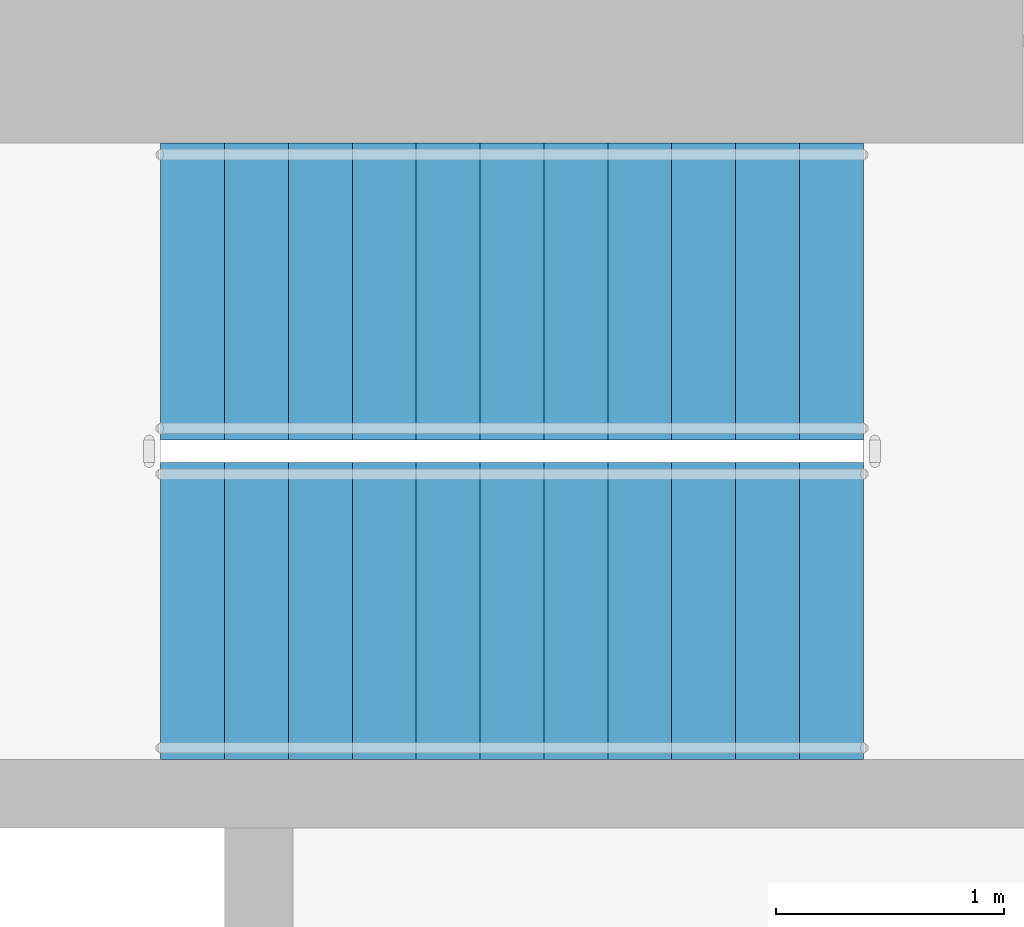
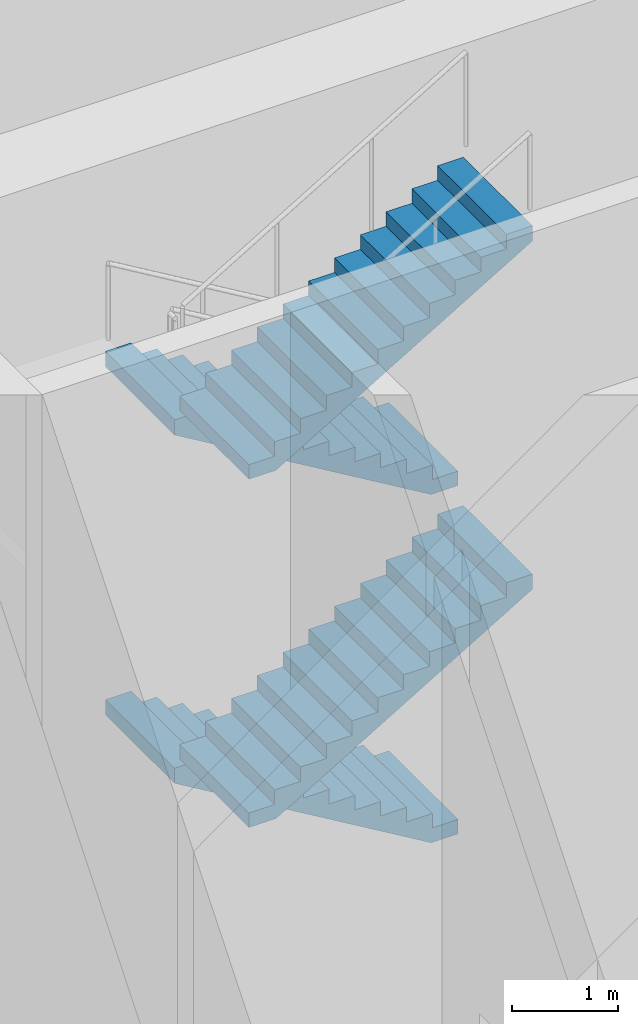
# One storey, part 37 of 54: 4 stair flights, 1 element without a shape of its own.
"""IFC4 building model written with IfcOpenShell, lengths in metres."""

from ifc_helpers import new_model, si_unit, direction, frame, origin, place, context, subcontext, project, spatial, triangles, source, transform, mapped, material, type_object, element, aggregate, save


model = new_model("IFC4")

# Units and contexts
model_context = context("Model", 3, precision=1e-05, world=origin(), true_north=direction((0.0, 1.0)))
body_context = subcontext(model_context, "Body", "Model", "MODEL_VIEW")
ifc_project = project(units=[si_unit("LENGTHUNIT", "METRE"), si_unit("AREAUNIT", "SQUARE_METRE"), si_unit("VOLUMEUNIT", "CUBIC_METRE"), si_unit("PLANEANGLEUNIT", "RADIAN"), si_unit("MASSUNIT", "GRAM", prefix="KILO")], contexts=[model_context])

# Site, building, storey
site_placement = place(None, origin())
site = spatial("IfcSite", under=ifc_project, at=site_placement, CompositionType="ELEMENT")
building_placement = place(site_placement, origin())
building = spatial("IfcBuilding", under=site, at=building_placement, Name="Ogive Portal Towers", CompositionType="ELEMENT")
storey_placement = place(building_placement, origin())
storey = spatial("IfcBuildingStorey", under=building, at=storey_placement, Name="L00", CompositionType="ELEMENT", Elevation=0.0)

# Stair, stair flights
ifc_material = material(Name="Concrete C40/50", Category="concrete")
stair_type = type_object("IfcStairType", Name="INT-STAIR", PredefinedType="HALF_TURN_STAIR", material=ifc_material)
stair_placement = place(storey_placement, origin())
stair = element("IfcStair", 1, at=stair_placement, inside=storey, type_object=stair_type, Name="L00 Exit Stair ST-A1", PredefinedType="HALF_TURN_STAIR")
stair_flight_type = type_object("IfcStairFlightType", Name="INT-FLIGHT", PredefinedType="STRAIGHT", material=ifc_material)
shared_shape = source(origin(), body_context, "Body", "Tessellation", [
    triangles([(0.0, -0.650146484375, 0.0), (0.0, -0.376220703125, 0.0), (0.0, -0.192626953125, 0.0), (0.0, -0.081298828125, 0.0), (0.0, -0.024169921875, 0.0), (0.0, -0.003173828125, 0.0), (0.0, 0.0, 0.0), (0.0, 0.0029296875, 0.0), (0.0, 0.02392578125, 0.0), (0.0, 0.0810546875, 0.0), (0.0, 0.1923828125, 0.0), (0.0, 0.3759765625, 0.0), (0.0, 0.64990234375, 0.0), (0.0, -0.650146484375, 0.166748046875), (0.0, -0.376220703125, 0.166748046875), (0.0, -0.192626953125, 0.166748046875), (0.0, -0.081298828125, 0.166748046875), (0.0, -0.024169921875, 0.166748046875), (0.0, -0.003173828125, 0.166748046875), (0.0, 0.0, 0.166748046875), (0.0, 0.0029296875, 0.166748046875), (0.0, 0.02392578125, 0.166748046875), (0.0, 0.0810546875, 0.166748046875), (0.0, 0.1923828125, 0.166748046875), (0.0, 0.3759765625, 0.166748046875), (0.0, 0.64990234375, 0.166748046875), (0.280029296875, -0.650146484375, 0.166748046875), (0.280029296875, -0.376220703125, 0.166748046875), (0.280029296875, -0.192626953125, 0.166748046875), (0.280029296875, -0.081298828125, 0.166748046875), (0.280029296875, -0.024169921875, 0.166748046875), (0.280029296875, -0.003173828125, 0.166748046875), (0.280029296875, 0.0, 0.166748046875), (0.280029296875, 0.0029296875, 0.166748046875), (0.280029296875, 0.02392578125, 0.166748046875), (0.280029296875, 0.0810546875, 0.166748046875), (0.280029296875, 0.1923828125, 0.166748046875), (0.280029296875, 0.3759765625, 0.166748046875), (0.280029296875, 0.64990234375, 0.166748046875), (0.280029296875, -0.650146484375, 0.333251953125), (0.280029296875, -0.376220703125, 0.333251953125), (0.280029296875, -0.192626953125, 0.333251953125), (0.280029296875, -0.081298828125, 0.333251953125), (0.280029296875, -0.024169921875, 0.333251953125), (0.280029296875, -0.003173828125, 0.333251953125), (0.280029296875, 0.0, 0.333251953125), (0.280029296875, 0.0029296875, 0.333251953125), (0.280029296875, 0.02392578125, 0.333251953125), (0.280029296875, 0.0810546875, 0.333251953125), (0.280029296875, 0.1923828125, 0.333251953125), (0.280029296875, 0.3759765625, 0.333251953125), (0.280029296875, 0.64990234375, 0.333251953125), (0.56005859375, -0.650146484375, 0.333251953125), (0.56005859375, -0.376220703125, 0.333251953125), (0.56005859375, -0.192626953125, 0.333251953125), (0.56005859375, -0.081298828125, 0.333251953125), (0.56005859375, -0.024169921875, 0.333251953125), (0.56005859375, -0.003173828125, 0.333251953125), (0.56005859375, 0.0, 0.333251953125), (0.56005859375, 0.0029296875, 0.333251953125), (0.56005859375, 0.02392578125, 0.333251953125), (0.56005859375, 0.0810546875, 0.333251953125), (0.56005859375, 0.1923828125, 0.333251953125), (0.56005859375, 0.3759765625, 0.333251953125), (0.56005859375, 0.64990234375, 0.333251953125), (0.56005859375, -0.650146484375, 0.5), (0.56005859375, -0.376220703125, 0.5), (0.56005859375, -0.192626953125, 0.5), (0.56005859375, -0.081298828125, 0.5), (0.56005859375, -0.024169921875, 0.5), (0.56005859375, -0.003173828125, 0.5), (0.56005859375, 0.0, 0.5), (0.56005859375, 0.0029296875, 0.5), (0.56005859375, 0.02392578125, 0.5), (0.56005859375, 0.0810546875, 0.5), (0.56005859375, 0.1923828125, 0.5), (0.56005859375, 0.3759765625, 0.5), (0.56005859375, 0.64990234375, 0.5), (0.840087890625, -0.650146484375, 0.5), (0.840087890625, -0.376220703125, 0.5), (0.840087890625, -0.192626953125, 0.5), (0.840087890625, -0.081298828125, 0.5), (0.840087890625, -0.024169921875, 0.5), (0.840087890625, -0.003173828125, 0.5), (0.840087890625, 0.0, 0.5), (0.840087890625, 0.0029296875, 0.5), (0.840087890625, 0.02392578125, 0.5), (0.840087890625, 0.0810546875, 0.5), (0.840087890625, 0.1923828125, 0.5), (0.840087890625, 0.3759765625, 0.5), (0.840087890625, 0.64990234375, 0.5), (0.840087890625, -0.650146484375, 0.666748046875), (0.840087890625, -0.376220703125, 0.666748046875), (0.840087890625, -0.192626953125, 0.666748046875), (0.840087890625, -0.081298828125, 0.666748046875), (0.840087890625, -0.024169921875, 0.666748046875), (0.840087890625, -0.003173828125, 0.666748046875), (0.840087890625, 0.0, 0.666748046875), (0.840087890625, 0.0029296875, 0.666748046875), (0.840087890625, 0.02392578125, 0.666748046875), (0.840087890625, 0.0810546875, 0.666748046875), (0.840087890625, 0.1923828125, 0.666748046875), (0.840087890625, 0.3759765625, 0.666748046875), (0.840087890625, 0.64990234375, 0.666748046875), (1.1201171875, -0.650146484375, 0.666748046875), (1.1201171875, -0.376220703125, 0.666748046875), (1.1201171875, -0.192626953125, 0.666748046875), (1.1201171875, -0.081298828125, 0.666748046875), (1.1201171875, -0.024169921875, 0.666748046875), (1.1201171875, -0.003173828125, 0.666748046875), (1.1201171875, 0.0, 0.666748046875), (1.1201171875, 0.0029296875, 0.666748046875), (1.1201171875, 0.02392578125, 0.666748046875), (1.1201171875, 0.0810546875, 0.666748046875), (1.1201171875, 0.1923828125, 0.666748046875), (1.1201171875, 0.3759765625, 0.666748046875), (1.1201171875, 0.64990234375, 0.666748046875), (1.1201171875, -0.650146484375, 0.833251953125), (1.1201171875, -0.376220703125, 0.833251953125), (1.1201171875, -0.192626953125, 0.833251953125), (1.1201171875, -0.081298828125, 0.833251953125), (1.1201171875, -0.024169921875, 0.833251953125), (1.1201171875, -0.003173828125, 0.833251953125), (1.1201171875, 0.0, 0.833251953125), (1.1201171875, 0.0029296875, 0.833251953125), (1.1201171875, 0.02392578125, 0.833251953125), (1.1201171875, 0.0810546875, 0.833251953125), (1.1201171875, 0.1923828125, 0.833251953125), (1.1201171875, 0.3759765625, 0.833251953125), (1.1201171875, 0.64990234375, 0.833251953125), (1.39990234375, -0.650146484375, 0.833251953125), (1.39990234375, -0.376220703125, 0.833251953125), (1.39990234375, -0.192626953125, 0.833251953125), (1.39990234375, -0.081298828125, 0.833251953125), (1.39990234375, -0.024169921875, 0.833251953125), (1.39990234375, -0.003173828125, 0.833251953125), (1.39990234375, 0.0, 0.833251953125), (1.39990234375, 0.0029296875, 0.833251953125), (1.39990234375, 0.02392578125, 0.833251953125), (1.39990234375, 0.0810546875, 0.833251953125), (1.39990234375, 0.1923828125, 0.833251953125), (1.39990234375, 0.3759765625, 0.833251953125), (1.39990234375, 0.64990234375, 0.833251953125), (1.39990234375, -0.650146484375, 1.0), (1.39990234375, -0.376220703125, 1.0), (1.39990234375, -0.192626953125, 1.0), (1.39990234375, -0.081298828125, 1.0), (1.39990234375, -0.024169921875, 1.0), (1.39990234375, -0.003173828125, 1.0), (1.39990234375, 0.0, 1.0), (1.39990234375, 0.0029296875, 1.0), (1.39990234375, 0.02392578125, 1.0), (1.39990234375, 0.0810546875, 1.0), (1.39990234375, 0.1923828125, 1.0), (1.39990234375, 0.3759765625, 1.0), (1.39990234375, 0.64990234375, 1.0), (1.679931640625, -0.650146484375, 1.0), (1.679931640625, -0.376220703125, 1.0), (1.679931640625, -0.192626953125, 1.0), (1.679931640625, -0.081298828125, 1.0), (1.679931640625, -0.024169921875, 1.0), (1.679931640625, -0.003173828125, 1.0), (1.679931640625, 0.0, 1.0), (1.679931640625, 0.0029296875, 1.0), (1.679931640625, 0.02392578125, 1.0), (1.679931640625, 0.0810546875, 1.0), (1.679931640625, 0.1923828125, 1.0), (1.679931640625, 0.3759765625, 1.0), (1.679931640625, 0.64990234375, 1.0), (1.679931640625, -0.650146484375, 1.166748046875), (1.679931640625, -0.376220703125, 1.166748046875), (1.679931640625, -0.192626953125, 1.166748046875), (1.679931640625, -0.081298828125, 1.166748046875), (1.679931640625, -0.024169921875, 1.166748046875), (1.679931640625, -0.003173828125, 1.166748046875), (1.679931640625, 0.0, 1.166748046875), (1.679931640625, 0.0029296875, 1.166748046875), (1.679931640625, 0.02392578125, 1.166748046875), (1.679931640625, 0.0810546875, 1.166748046875), (1.679931640625, 0.1923828125, 1.166748046875), (1.679931640625, 0.3759765625, 1.166748046875), (1.679931640625, 0.64990234375, 1.166748046875), (1.9599609375, -0.650146484375, 1.166748046875), (1.9599609375, -0.376220703125, 1.166748046875), (1.9599609375, -0.192626953125, 1.166748046875), (1.9599609375, -0.081298828125, 1.166748046875), (1.9599609375, -0.024169921875, 1.166748046875), (1.9599609375, -0.003173828125, 1.166748046875), (1.9599609375, 0.0, 1.166748046875), (1.9599609375, 0.0029296875, 1.166748046875), (1.9599609375, 0.02392578125, 1.166748046875), (1.9599609375, 0.0810546875, 1.166748046875), (1.9599609375, 0.1923828125, 1.166748046875), (1.9599609375, 0.3759765625, 1.166748046875), (1.9599609375, 0.64990234375, 1.166748046875), (1.9599609375, -0.650146484375, 1.333251953125), (1.9599609375, -0.376220703125, 1.333251953125), (1.9599609375, -0.192626953125, 1.333251953125), (1.9599609375, -0.081298828125, 1.333251953125), (1.9599609375, -0.024169921875, 1.333251953125), (1.9599609375, -0.003173828125, 1.333251953125), (1.9599609375, 0.0, 1.333251953125), (1.9599609375, 0.0029296875, 1.333251953125), (1.9599609375, 0.02392578125, 1.333251953125), (1.9599609375, 0.0810546875, 1.333251953125), (1.9599609375, 0.1923828125, 1.333251953125), (1.9599609375, 0.3759765625, 1.333251953125), (1.9599609375, 0.64990234375, 1.333251953125), (2.239990234375, -0.650146484375, 1.333251953125), (2.239990234375, -0.376220703125, 1.333251953125), (2.239990234375, -0.192626953125, 1.333251953125), (2.239990234375, -0.081298828125, 1.333251953125), (2.239990234375, -0.024169921875, 1.333251953125), (2.239990234375, -0.003173828125, 1.333251953125), (2.239990234375, 0.0, 1.333251953125), (2.239990234375, 0.0029296875, 1.333251953125), (2.239990234375, 0.02392578125, 1.333251953125), (2.239990234375, 0.0810546875, 1.333251953125), (2.239990234375, 0.1923828125, 1.333251953125), (2.239990234375, 0.3759765625, 1.333251953125), (2.239990234375, 0.64990234375, 1.333251953125), (2.239990234375, -0.650146484375, 1.5), (2.239990234375, -0.376220703125, 1.5), (2.239990234375, -0.192626953125, 1.5), (2.239990234375, -0.081298828125, 1.5), (2.239990234375, -0.024169921875, 1.5), (2.239990234375, -0.003173828125, 1.5), (2.239990234375, 0.0, 1.5), (2.239990234375, 0.0029296875, 1.5), (2.239990234375, 0.02392578125, 1.5), (2.239990234375, 0.0810546875, 1.5), (2.239990234375, 0.1923828125, 1.5), (2.239990234375, 0.3759765625, 1.5), (2.239990234375, 0.64990234375, 1.5), (2.52001953125, -0.650146484375, 1.5), (2.52001953125, -0.376220703125, 1.5), (2.52001953125, -0.192626953125, 1.5), (2.52001953125, -0.081298828125, 1.5), (2.52001953125, -0.024169921875, 1.5), (2.52001953125, -0.003173828125, 1.5), (2.52001953125, 0.0, 1.5), (2.52001953125, 0.0029296875, 1.5), (2.52001953125, 0.02392578125, 1.5), (2.52001953125, 0.0810546875, 1.5), (2.52001953125, 0.1923828125, 1.5), (2.52001953125, 0.3759765625, 1.5), (2.52001953125, 0.64990234375, 1.5), (2.52001953125, -0.650146484375, 1.666748046875), (2.52001953125, -0.376220703125, 1.666748046875), (2.52001953125, -0.192626953125, 1.666748046875), (2.52001953125, -0.081298828125, 1.666748046875), (2.52001953125, -0.024169921875, 1.666748046875), (2.52001953125, -0.003173828125, 1.666748046875), (2.52001953125, 0.0, 1.666748046875), (2.52001953125, 0.0029296875, 1.666748046875), (2.52001953125, 0.02392578125, 1.666748046875), (2.52001953125, 0.0810546875, 1.666748046875), (2.52001953125, 0.1923828125, 1.666748046875), (2.52001953125, 0.3759765625, 1.666748046875), (2.52001953125, 0.64990234375, 1.666748046875), (2.800048828125, -0.650146484375, 1.666748046875), (2.800048828125, -0.376220703125, 1.666748046875), (2.800048828125, -0.192626953125, 1.666748046875), (2.800048828125, -0.081298828125, 1.666748046875), (2.800048828125, -0.024169921875, 1.666748046875), (2.800048828125, -0.003173828125, 1.666748046875), (2.800048828125, 0.0, 1.666748046875), (2.800048828125, 0.0029296875, 1.666748046875), (2.800048828125, 0.02392578125, 1.666748046875), (2.800048828125, 0.0810546875, 1.666748046875), (2.800048828125, 0.1923828125, 1.666748046875), (2.800048828125, 0.3759765625, 1.666748046875), (2.800048828125, 0.64990234375, 1.666748046875), (2.800048828125, -0.650146484375, 1.833251953125), (2.800048828125, -0.376220703125, 1.833251953125), (2.800048828125, -0.192626953125, 1.833251953125), (2.800048828125, -0.081298828125, 1.833251953125), (2.800048828125, -0.024169921875, 1.833251953125), (2.800048828125, -0.003173828125, 1.833251953125), (2.800048828125, 0.0, 1.833251953125), (2.800048828125, 0.0029296875, 1.833251953125), (2.800048828125, 0.02392578125, 1.833251953125), (2.800048828125, 0.0810546875, 1.833251953125), (2.800048828125, 0.1923828125, 1.833251953125), (2.800048828125, 0.3759765625, 1.833251953125), (2.800048828125, 0.64990234375, 1.833251953125), (3.080078125, -0.650146484375, 1.833251953125), (3.080078125, -0.376220703125, 1.833251953125), (3.080078125, -0.192626953125, 1.833251953125), (3.080078125, -0.081298828125, 1.833251953125), (3.080078125, -0.024169921875, 1.833251953125), (3.080078125, -0.003173828125, 1.833251953125), (3.080078125, 0.0, 1.833251953125), (3.080078125, 0.0029296875, 1.833251953125), (3.080078125, 0.02392578125, 1.833251953125), (3.080078125, 0.0810546875, 1.833251953125), (3.080078125, 0.1923828125, 1.833251953125), (3.080078125, 0.3759765625, 1.833251953125), (3.080078125, 0.64990234375, 1.833251953125), (3.080078125, -0.650146484375, 1.658935546875), (3.080078125, -0.376220703125, 1.658935546875), (3.080078125, -0.192626953125, 1.658935546875), (3.080078125, -0.081298828125, 1.658935546875), (3.080078125, -0.024169921875, 1.658935546875), (3.080078125, -0.003173828125, 1.658935546875), (3.080078125, 0.0, 1.658935546875), (3.080078125, 0.0029296875, 1.658935546875), (3.080078125, 0.02392578125, 1.658935546875), (3.080078125, 0.0810546875, 1.658935546875), (3.080078125, 0.1923828125, 1.658935546875), (3.080078125, 0.3759765625, 1.658935546875), (3.080078125, 0.64990234375, 1.658935546875), (0.29296875, -0.650146484375, 0.0), (0.29296875, -0.376220703125, 0.0), (0.29296875, -0.192626953125, 0.0), (0.29296875, -0.081298828125, 0.0), (0.29296875, -0.024169921875, 0.0), (0.29296875, -0.003173828125, 0.0), (0.29296875, 0.0, 0.0), (0.29296875, 0.0029296875, 0.0), (0.29296875, 0.02392578125, 0.0), (0.29296875, 0.0810546875, 0.0), (0.29296875, 0.1923828125, 0.0), (0.29296875, 0.3759765625, 0.0), (0.29296875, 0.64990234375, 0.0)], [[1, 14, 15], [1, 15, 2], [2, 15, 16], [2, 16, 3], [3, 16, 17], [3, 17, 4], [4, 17, 18], [4, 18, 5], [5, 18, 19], [5, 19, 6], [6, 19, 20], [6, 20, 7], [7, 20, 21], [7, 21, 8], [8, 21, 22], [8, 22, 9], [9, 22, 23], [9, 23, 10], [10, 23, 24], [10, 24, 11], [11, 24, 25], [11, 25, 12], [12, 25, 26], [12, 26, 13], [14, 27, 28], [14, 28, 15], [15, 28, 29], [15, 29, 16], [16, 29, 30], [16, 30, 17], [17, 30, 31], [17, 31, 18], [18, 31, 32], [18, 32, 19], [19, 32, 33], [19, 33, 20], [20, 33, 34], [20, 34, 21], [21, 34, 35], [21, 35, 22], [22, 35, 36], [22, 36, 23], [23, 36, 37], [23, 37, 24], [24, 37, 38], [24, 38, 25], [25, 38, 39], [25, 39, 26], [27, 40, 41], [27, 41, 28], [28, 41, 42], [28, 42, 29], [29, 42, 43], [29, 43, 30], [30, 43, 44], [30, 44, 31], [31, 44, 45], [31, 45, 32], [32, 45, 46], [32, 46, 33], [33, 46, 47], [33, 47, 34], [34, 47, 48], [34, 48, 35], [35, 48, 49], [35, 49, 36], [36, 49, 50], [36, 50, 37], [37, 50, 51], [37, 51, 38], [38, 51, 52], [38, 52, 39], [40, 53, 54], [40, 54, 41], [41, 54, 55], [41, 55, 42], [42, 55, 56], [42, 56, 43], [43, 56, 57], [43, 57, 44], [44, 57, 58], [44, 58, 45], [45, 58, 59], [45, 59, 46], [46, 59, 60], [46, 60, 47], [47, 60, 61], [47, 61, 48], [48, 61, 62], [48, 62, 49], [49, 62, 63], [49, 63, 50], [50, 63, 64], [50, 64, 51], [51, 64, 65], [51, 65, 52], [53, 66, 67], [53, 67, 54], [54, 67, 68], [54, 68, 55], [55, 68, 69], [55, 69, 56], [56, 69, 70], [56, 70, 57], [57, 70, 71], [57, 71, 58], [58, 71, 72], [58, 72, 59], [59, 72, 73], [59, 73, 60], [60, 73, 74], [60, 74, 61], [61, 74, 75], [61, 75, 62], [62, 75, 76], [62, 76, 63], [63, 76, 77], [63, 77, 64], [64, 77, 78], [64, 78, 65], [66, 79, 80], [66, 80, 67], [67, 80, 81], [67, 81, 68], [68, 81, 82], [68, 82, 69], [69, 82, 83], [69, 83, 70], [70, 83, 84], [70, 84, 71], [71, 84, 85], [71, 85, 72], [72, 85, 86], [72, 86, 73], [73, 86, 87], [73, 87, 74], [74, 87, 88], [74, 88, 75], [75, 88, 89], [75, 89, 76], [76, 89, 90], [76, 90, 77], [77, 90, 91], [77, 91, 78], [79, 92, 93], [79, 93, 80], [80, 93, 94], [80, 94, 81], [81, 94, 95], [81, 95, 82], [82, 95, 96], [82, 96, 83], [83, 96, 97], [83, 97, 84], [84, 97, 98], [84, 98, 85], [85, 98, 99], [85, 99, 86], [86, 99, 100], [86, 100, 87], [87, 100, 101], [87, 101, 88], [88, 101, 102], [88, 102, 89], [89, 102, 103], [89, 103, 90], [90, 103, 104], [90, 104, 91], [92, 105, 106], [92, 106, 93], [93, 106, 107], [93, 107, 94], [94, 107, 108], [94, 108, 95], [95, 108, 109], [95, 109, 96], [96, 109, 110], [96, 110, 97], [97, 110, 111], [97, 111, 98], [98, 111, 112], [98, 112, 99], [99, 112, 113], [99, 113, 100], [100, 113, 114], [100, 114, 101], [101, 114, 115], [101, 115, 102], [102, 115, 116], [102, 116, 103], [103, 116, 117], [103, 117, 104], [105, 118, 119], [105, 119, 106], [106, 119, 120], [106, 120, 107], [107, 120, 121], [107, 121, 108], [108, 121, 122], [108, 122, 109], [109, 122, 123], [109, 123, 110], [110, 123, 124], [110, 124, 111], [111, 124, 125], [111, 125, 112], [112, 125, 126], [112, 126, 113], [113, 126, 127], [113, 127, 114], [114, 127, 128], [114, 128, 115], [115, 128, 129], [115, 129, 116], [116, 129, 130], [116, 130, 117], [118, 131, 132], [118, 132, 119], [119, 132, 133], [119, 133, 120], [120, 133, 134], [120, 134, 121], [121, 134, 135], [121, 135, 122], [122, 135, 136], [122, 136, 123], [123, 136, 137], [123, 137, 124], [124, 137, 138], [124, 138, 125], [125, 138, 139], [125, 139, 126], [126, 139, 140], [126, 140, 127], [127, 140, 141], [127, 141, 128], [128, 141, 142], [128, 142, 129], [129, 142, 143], [129, 143, 130], [131, 144, 145], [131, 145, 132], [132, 145, 146], [132, 146, 133], [133, 146, 147], [133, 147, 134], [134, 147, 148], [134, 148, 135], [135, 148, 149], [135, 149, 136], [136, 149, 150], [136, 150, 137], [137, 150, 151], [137, 151, 138], [138, 151, 152], [138, 152, 139], [139, 152, 153], [139, 153, 140], [140, 153, 154], [140, 154, 141], [141, 154, 155], [141, 155, 142], [142, 155, 156], [142, 156, 143], [144, 157, 158], [144, 158, 145], [145, 158, 159], [145, 159, 146], [146, 159, 160], [146, 160, 147], [147, 160, 161], [147, 161, 148], [148, 161, 162], [148, 162, 149], [149, 162, 163], [149, 163, 150], [150, 163, 164], [150, 164, 151], [151, 164, 165], [151, 165, 152], [152, 165, 166], [152, 166, 153], [153, 166, 167], [153, 167, 154], [154, 167, 168], [154, 168, 155], [155, 168, 169], [155, 169, 156], [157, 170, 171], [157, 171, 158], [158, 171, 172], [158, 172, 159], [159, 172, 173], [159, 173, 160], [160, 173, 174], [160, 174, 161], [161, 174, 175], [161, 175, 162], [162, 175, 176], [162, 176, 163], [163, 176, 177], [163, 177, 164], [164, 177, 178], [164, 178, 165], [165, 178, 179], [165, 179, 166], [166, 179, 180], [166, 180, 167], [167, 180, 181], [167, 181, 168], [168, 181, 182], [168, 182, 169], [170, 183, 184], [170, 184, 171], [171, 184, 185], [171, 185, 172], [172, 185, 186], [172, 186, 173], [173, 186, 187], [173, 187, 174], [174, 187, 188], [174, 188, 175], [175, 188, 189], [175, 189, 176], [176, 189, 190], [176, 190, 177], [177, 190, 191], [177, 191, 178], [178, 191, 192], [178, 192, 179], [179, 192, 193], [179, 193, 180], [180, 193, 194], [180, 194, 181], [181, 194, 195], [181, 195, 182], [183, 196, 197], [183, 197, 184], [184, 197, 198], [184, 198, 185], [185, 198, 199], [185, 199, 186], [186, 199, 200], [186, 200, 187], [187, 200, 201], [187, 201, 188], [188, 201, 202], [188, 202, 189], [189, 202, 203], [189, 203, 190], [190, 203, 204], [190, 204, 191], [191, 204, 205], [191, 205, 192], [192, 205, 206], [192, 206, 193], [193, 206, 207], [193, 207, 194], [194, 207, 208], [194, 208, 195], [196, 209, 210], [196, 210, 197], [197, 210, 211], [197, 211, 198], [198, 211, 212], [198, 212, 199], [199, 212, 213], [199, 213, 200], [200, 213, 214], [200, 214, 201], [201, 214, 215], [201, 215, 202], [202, 215, 216], [202, 216, 203], [203, 216, 217], [203, 217, 204], [204, 217, 218], [204, 218, 205], [205, 218, 219], [205, 219, 206], [206, 219, 220], [206, 220, 207], [207, 220, 221], [207, 221, 208], [209, 222, 223], [209, 223, 210], [210, 223, 224], [210, 224, 211], [211, 224, 225], [211, 225, 212], [212, 225, 226], [212, 226, 213], [213, 226, 227], [213, 227, 214], [214, 227, 228], [214, 228, 215], [215, 228, 229], [215, 229, 216], [216, 229, 230], [216, 230, 217], [217, 230, 231], [217, 231, 218], [218, 231, 232], [218, 232, 219], [219, 232, 233], [219, 233, 220], [220, 233, 234], [220, 234, 221], [222, 235, 236], [222, 236, 223], [223, 236, 237], [223, 237, 224], [224, 237, 238], [224, 238, 225], [225, 238, 239], [225, 239, 226], [226, 239, 240], [226, 240, 227], [227, 240, 241], [227, 241, 228], [228, 241, 242], [228, 242, 229], [229, 242, 243], [229, 243, 230], [230, 243, 244], [230, 244, 231], [231, 244, 245], [231, 245, 232], [232, 245, 246], [232, 246, 233], [233, 246, 247], [233, 247, 234], [235, 248, 249], [235, 249, 236], [236, 249, 250], [236, 250, 237], [237, 250, 251], [237, 251, 238], [238, 251, 252], [238, 252, 239], [239, 252, 253], [239, 253, 240], [240, 253, 254], [240, 254, 241], [241, 254, 255], [241, 255, 242], [242, 255, 256], [242, 256, 243], [243, 256, 257], [243, 257, 244], [244, 257, 258], [244, 258, 245], [245, 258, 259], [245, 259, 246], [246, 259, 260], [246, 260, 247], [248, 261, 262], [248, 262, 249], [249, 262, 263], [249, 263, 250], [250, 263, 264], [250, 264, 251], [251, 264, 265], [251, 265, 252], [252, 265, 266], [252, 266, 253], [253, 266, 267], [253, 267, 254], [254, 267, 268], [254, 268, 255], [255, 268, 269], [255, 269, 256], [256, 269, 270], [256, 270, 257], [257, 270, 271], [257, 271, 258], [258, 271, 272], [258, 272, 259], [259, 272, 273], [259, 273, 260], [261, 274, 275], [261, 275, 262], [262, 275, 276], [262, 276, 263], [263, 276, 277], [263, 277, 264], [264, 277, 278], [264, 278, 265], [265, 278, 279], [265, 279, 266], [266, 279, 280], [266, 280, 267], [267, 280, 281], [267, 281, 268], [268, 281, 282], [268, 282, 269], [269, 282, 283], [269, 283, 270], [270, 283, 284], [270, 284, 271], [271, 284, 285], [271, 285, 272], [272, 285, 286], [272, 286, 273], [274, 287, 288], [274, 288, 275], [275, 288, 289], [275, 289, 276], [276, 289, 290], [276, 290, 277], [277, 290, 291], [277, 291, 278], [278, 291, 292], [278, 292, 279], [279, 292, 293], [279, 293, 280], [280, 293, 294], [280, 294, 281], [281, 294, 295], [281, 295, 282], [282, 295, 296], [282, 296, 283], [283, 296, 297], [283, 297, 284], [284, 297, 298], [284, 298, 285], [285, 298, 299], [285, 299, 286], [287, 300, 301], [287, 301, 288], [288, 301, 302], [288, 302, 289], [289, 302, 303], [289, 303, 290], [290, 303, 304], [290, 304, 291], [291, 304, 305], [291, 305, 292], [292, 305, 306], [292, 306, 293], [293, 306, 307], [293, 307, 294], [294, 307, 308], [294, 308, 295], [295, 308, 309], [295, 309, 296], [296, 309, 310], [296, 310, 297], [297, 310, 311], [297, 311, 298], [298, 311, 312], [298, 312, 299], [300, 313, 314], [300, 314, 301], [301, 314, 315], [301, 315, 302], [302, 315, 316], [302, 316, 303], [303, 316, 317], [303, 317, 304], [304, 317, 318], [304, 318, 305], [305, 318, 319], [305, 319, 306], [306, 319, 320], [306, 320, 307], [307, 320, 321], [307, 321, 308], [308, 321, 322], [308, 322, 309], [309, 322, 323], [309, 323, 310], [310, 323, 324], [310, 324, 311], [311, 324, 325], [311, 325, 312], [313, 1, 2], [313, 2, 314], [314, 2, 3], [314, 3, 315], [315, 3, 4], [315, 4, 316], [316, 4, 5], [316, 5, 317], [317, 5, 6], [317, 6, 318], [318, 6, 7], [318, 7, 319], [319, 7, 8], [319, 8, 320], [320, 8, 9], [320, 9, 321], [321, 9, 10], [321, 10, 322], [322, 10, 11], [322, 11, 323], [323, 11, 12], [323, 12, 324], [324, 12, 13], [324, 13, 325], [1, 313, 300], [13, 312, 325], [300, 287, 274], [312, 286, 299], [300, 274, 261], [312, 273, 286], [300, 261, 248], [312, 260, 273], [300, 248, 235], [312, 247, 260], [235, 222, 209], [247, 221, 234], [300, 235, 209], [312, 221, 247], [209, 196, 183], [221, 195, 208], [300, 209, 183], [312, 195, 221], [183, 170, 157], [195, 169, 182], [300, 183, 157], [312, 169, 195], [157, 144, 131], [169, 143, 156], [300, 157, 131], [312, 143, 169], [131, 118, 105], [143, 117, 130], [300, 131, 105], [312, 117, 143], [105, 92, 79], [117, 91, 104], [300, 105, 79], [312, 91, 117], [79, 66, 53], [91, 65, 78], [300, 79, 53], [312, 65, 91], [1, 300, 53], [13, 65, 312], [53, 40, 27], [65, 39, 52], [1, 53, 27], [13, 39, 65], [27, 14, 1], [39, 13, 26]], closed=True),
])
stair_flight_1_placement = place(storey_placement, frame((37.449951171875, 38.39990234375, 0.0), z_axis=(0.0, 0.0, 1.0), x_axis=(-1.0, 0.0, 0.0)))
stair_flight_1 = element("IfcStairFlight", 2, at=stair_flight_1_placement, type_object=stair_flight_type, Name="ST-A1 flight 1", NumberOfRisers=12, NumberOfTreads=11, PredefinedType="STRAIGHT", RiserHeight=0.166666667, TreadLength=0.28, context=body_context, shape_type="MappedRepresentation", body=[
    mapped(shared_shape, transform((0.0, 0.0, 0.0), scale=1.0)),
])
stair_flight_2_placement = place(storey_placement, frame((34.3701171875, 37.0, 2.0), z_axis=(0.0, 0.0, 1.0), x_axis=(1.0, 0.0, 0.0)))
stair_flight_2 = element("IfcStairFlight", 3, at=stair_flight_2_placement, type_object=stair_flight_type, Name="ST-A1 flight 2", NumberOfRisers=12, NumberOfTreads=11, PredefinedType="STRAIGHT", RiserHeight=0.166666667, TreadLength=0.28, context=body_context, shape_type="MappedRepresentation", body=[
    mapped(shared_shape, transform((0.0, 0.0, 0.0), scale=1.0)),
])
stair_flight_3_placement = place(storey_placement, frame((37.449951171875, 38.39990234375, 4.0), z_axis=(0.0, 0.0, 1.0), x_axis=(-1.0, 0.0, 0.0)))
stair_flight_3 = element("IfcStairFlight", 4, at=stair_flight_3_placement, type_object=stair_flight_type, Name="ST-A1 flight 3", NumberOfRisers=12, NumberOfTreads=11, PredefinedType="STRAIGHT", RiserHeight=0.166666667, TreadLength=0.28, context=body_context, shape_type="MappedRepresentation", body=[
    mapped(shared_shape, transform((0.0, 0.0, 0.0), scale=1.0)),
])
stair_flight_4_placement = place(storey_placement, frame((34.3701171875, 37.0, 6.0), z_axis=(0.0, 0.0, 1.0), x_axis=(1.0, 0.0, 0.0)))
stair_flight_4 = element("IfcStairFlight", 5, at=stair_flight_4_placement, type_object=stair_flight_type, Name="ST-A1 flight 4", NumberOfRisers=12, NumberOfTreads=11, PredefinedType="STRAIGHT", RiserHeight=0.166666667, TreadLength=0.28, context=body_context, shape_type="MappedRepresentation", body=[
    mapped(shared_shape, transform((0.0, 0.0, 0.0), scale=1.0)),
])
aggregate(stair, [stair_flight_1, stair_flight_2, stair_flight_3, stair_flight_4])

save(model, "model.ifc")
